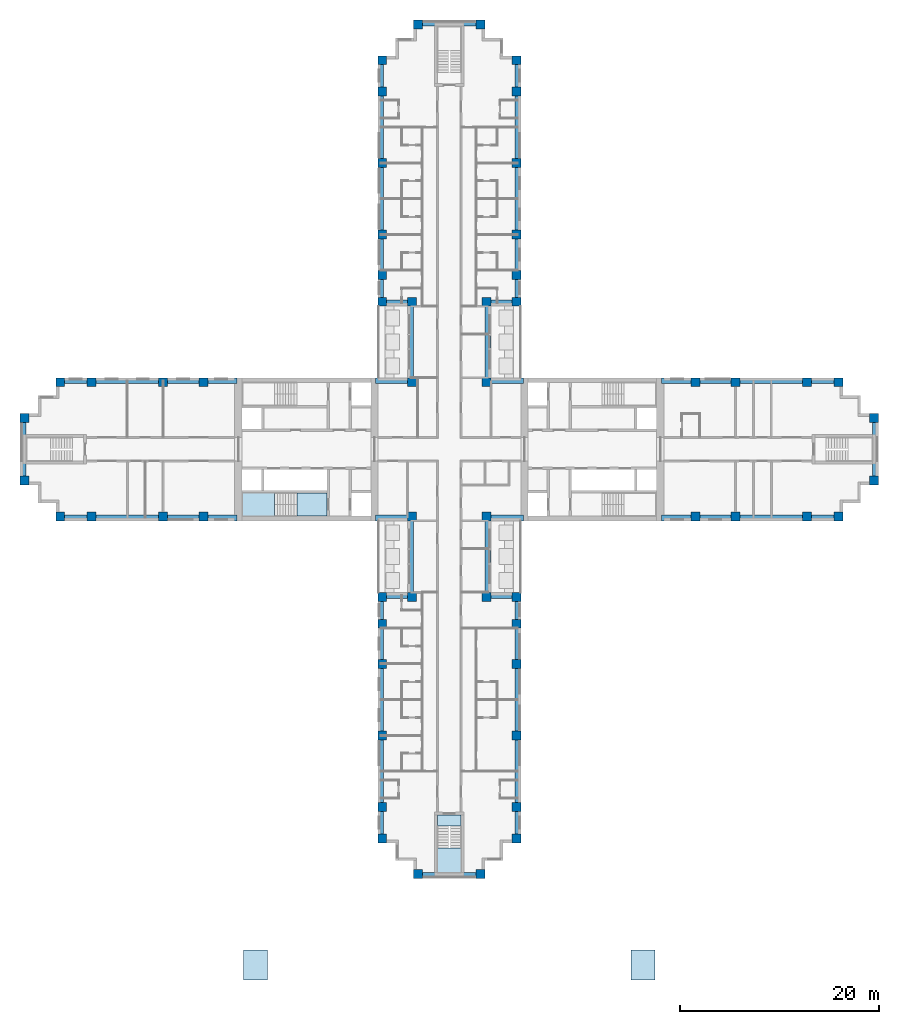
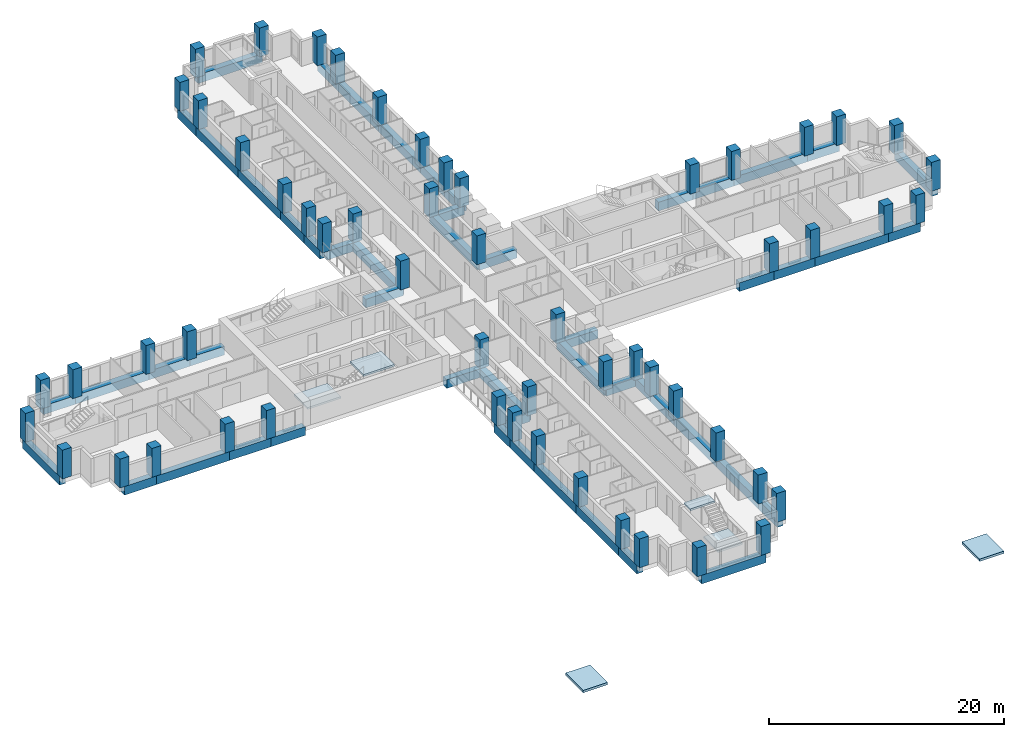
# One storey, part 1 of 15: 56 columns, 52 beams, 6 slabs, 2 elements without a shape of their own.
"""IFC4 building model written with IfcOpenShell, lengths in metres."""

from ifc_helpers import new_model, si_unit, direction, frame, origin, origin_2d, place, context, subcontext, project, spatial, polyline, rectangle, outline, extrude, material, layer, layer_set, material_profile, profile_set, type_object, element, aggregate, save


model = new_model("IFC4")

# Units and contexts
model_context = context("Model", 3, precision=1e-05, world=origin(), true_north=direction((0.0, 1.0)))
body_context = subcontext(model_context, "Body", "Model", "MODEL_VIEW")
ifc_project = project(units=[si_unit("LENGTHUNIT", "METRE"), si_unit("AREAUNIT", "SQUARE_METRE"), si_unit("VOLUMEUNIT", "CUBIC_METRE"), si_unit("PLANEANGLEUNIT", "RADIAN"), si_unit("MASSUNIT", "GRAM", prefix="KILO")], contexts=[model_context])

# Site, building, storey
site_placement = place(None, origin())
site = spatial("IfcSite", under=ifc_project, at=site_placement, CompositionType="ELEMENT")
building_placement = place(site_placement, origin())
building = spatial("IfcBuilding", under=site, at=building_placement, Name="Fustian Cross Tower", CompositionType="ELEMENT")
storey_placement = place(building_placement, frame((0.0, 0.0, 11.699951171875)))
storey = spatial("IfcBuildingStorey", under=building, at=storey_placement, Name="L02", CompositionType="ELEMENT", Elevation=11.699951171875)

# Columns
ifc_material_1 = material(Name="Concrete C70/85", Category="concrete")
ifc_material_profile_1 = material_profile(ifc_material_1, rectangle(XDim=0.89990234375, YDim=0.89990234375, at=origin_2d()), Name="RC 900x900")
ifc_profile_set_1 = profile_set([ifc_material_profile_1], Name="Concrete C70/85")
column_type = type_object("IfcColumnType", Name="COLUMN RC 900x900 C70/85", PredefinedType="COLUMN", material=ifc_profile_set_1)
for number, where, z_axis, x_axis, name in (
    (1, (-42.75, -3.14990234375, 0.0), (0.0, 0.0, 1.0), (1.0, 0.0, 0.0), "COLUMN 001"),
    (2, (-42.75, 3.14990234375, 0.0), (0.0, 0.0, 1.0), (1.0, 0.0, 0.0), "COLUMN 002"),
    (3, (-39.14990234375, -6.75, 0.0), (0.0, 0.0, 1.0), (1.0, 0.0, 0.0), "COLUMN 003"),
    (4, (-39.14990234375, 6.75, 0.0), (0.0, 0.0, 1.0), (1.0, 0.0, 0.0), "COLUMN 004"),
    (5, (-36.0, -6.75, 0.0), (0.0, 0.0, 1.0), (1.0, 0.0, 0.0), "COLUMN 005"),
    (6, (-36.0, 6.75, 0.0), (0.0, 0.0, 1.0), (1.0, 0.0, 0.0), "COLUMN 006"),
    (7, (-28.800048828125, -6.75, 0.0), (0.0, 0.0, 1.0), (1.0, 0.0, 0.0), "COLUMN 007"),
    (8, (-28.800048828125, 6.75, 0.0), (0.0, 0.0, 1.0), (1.0, 0.0, 0.0), "COLUMN 010"),
    (9, (-24.75, -6.75, 0.0), (0.0, 0.0, 1.0), (1.0, 0.0, 0.0), "COLUMN 011"),
    (10, (-24.75, 6.75, 0.0), (0.0, 0.0, 1.0), (1.0, 0.0, 0.0), "COLUMN 012"),
    (11, (-6.75, -39.14990234375, 0.0), (0.0, 0.0, 1.0), (1.0, 0.0, 0.0), "COLUMN 013"),
    (12, (-6.75, -36.0, 0.0), (0.0, 0.0, 1.0), (1.0, 0.0, 0.0), "COLUMN 014"),
    (13, (-6.75, -28.800048828125, 0.0), (0.0, 0.0, 1.0), (1.0, 0.0, 0.0), "COLUMN 015"),
    (14, (-6.75, -21.60009765625, 0.0), (0.0, 0.0, 1.0), (1.0, 0.0, 0.0), "COLUMN 016"),
    (15, (-6.75, -17.550048828125, 0.0), (0.0, 0.0, 1.0), (1.0, 0.0, 0.0), "COLUMN 017"),
    (16, (-6.75, -14.85009765625, 0.0), (0.0, 0.0, 1.0), (1.0, 0.0, 0.0), "COLUMN 018"),
    (17, (-6.75, 14.85009765625, 0.0), (0.0, 0.0, 1.0), (1.0, 0.0, 0.0), "COLUMN 019"),
    (18, (-6.75, 17.550048828125, 0.0), (0.0, 0.0, 1.0), (1.0, 0.0, 0.0), "COLUMN 020"),
    (19, (-6.75, 21.60009765625, 0.0), (0.0, 0.0, 1.0), (1.0, 0.0, 0.0), "COLUMN 021"),
    (20, (-6.75, 28.800048828125, 0.0), (0.0, 0.0, 1.0), (1.0, 0.0, 0.0), "COLUMN 022"),
    (21, (-6.75, 36.0, 0.0), (0.0, 0.0, 1.0), (1.0, 0.0, 0.0), "COLUMN 023"),
    (22, (-6.75, 39.14990234375, 0.0), (0.0, 0.0, 1.0), (1.0, 0.0, 0.0), "COLUMN 024"),
    (23, (-3.75, -14.85009765625, 0.0), (0.0, 0.0, 1.0), (1.0, 0.0, 0.0), "COLUMN 025"),
    (24, (-3.75, -6.75, 0.0), (0.0, 0.0, 1.0), (1.0, 0.0, 0.0), "COLUMN 026"),
    (25, (-3.75, 6.75, 0.0), (0.0, 0.0, 1.0), (1.0, 0.0, 0.0), "COLUMN 027"),
    (26, (-3.75, 14.85009765625, 0.0), (0.0, 0.0, 1.0), (1.0, 0.0, 0.0), "COLUMN 028"),
    (27, (-3.14990234375, -42.75, 0.0), (0.0, 0.0, 1.0), (1.0, 0.0, 0.0), "COLUMN 029"),
    (28, (-3.14990234375, 42.75, 0.0), (0.0, 0.0, 1.0), (1.0, 0.0, 0.0), "COLUMN 032"),
    (29, (3.14990234375, -42.75, 0.0), (0.0, 0.0, 1.0), (1.0, 0.0, 0.0), "COLUMN 033"),
    (30, (3.14990234375, 42.75, 0.0), (0.0, 0.0, 1.0), (1.0, 0.0, 0.0), "COLUMN 036"),
    (31, (3.75, -14.85009765625, 0.0), (0.0, 0.0, 1.0), (1.0, 0.0, 0.0), "COLUMN 037"),
    (32, (3.75, -6.75, 0.0), (0.0, 0.0, 1.0), (1.0, 0.0, 0.0), "COLUMN 038"),
    (33, (3.75, 6.75, 0.0), (0.0, 0.0, 1.0), (1.0, 0.0, 0.0), "COLUMN 039"),
    (34, (3.75, 14.85009765625, 0.0), (0.0, 0.0, 1.0), (1.0, 0.0, 0.0), "COLUMN 040"),
    (35, (6.75, -39.14990234375, 0.0), (0.0, 0.0, 1.0), (1.0, 0.0, 0.0), "COLUMN 041"),
    (36, (6.75, -36.0, 0.0), (0.0, 0.0, 1.0), (1.0, 0.0, 0.0), "COLUMN 042"),
    (37, (6.75, -28.800048828125, 0.0), (0.0, 0.0, 1.0), (1.0, 0.0, 0.0), "COLUMN 043"),
    (38, (6.75, -21.60009765625, 0.0), (0.0, 0.0, 1.0), (1.0, 0.0, 0.0), "COLUMN 044"),
    (39, (6.75, -17.550048828125, 0.0), (0.0, 0.0, 1.0), (1.0, 0.0, 0.0), "COLUMN 045"),
    (40, (6.75, -14.85009765625, 0.0), (0.0, 0.0, 1.0), (1.0, 0.0, 0.0), "COLUMN 046"),
    (41, (6.75, 14.85009765625, 0.0), (0.0, 0.0, 1.0), (1.0, 0.0, 0.0), "COLUMN 047"),
    (42, (6.75, 17.550048828125, 0.0), (0.0, 0.0, 1.0), (1.0, 0.0, 0.0), "COLUMN 048"),
    (43, (6.75, 21.60009765625, 0.0), (0.0, 0.0, 1.0), (1.0, 0.0, 0.0), "COLUMN 049"),
    (44, (6.75, 28.800048828125, 0.0), (0.0, 0.0, 1.0), (1.0, 0.0, 0.0), "COLUMN 050"),
    (45, (6.75, 36.0, 0.0), (0.0, 0.0, 1.0), (1.0, 0.0, 0.0), "COLUMN 051"),
    (46, (6.75, 39.14990234375, 0.0), (0.0, 0.0, 1.0), (1.0, 0.0, 0.0), "COLUMN 052"),
    (47, (24.75, -6.75, 0.0), (0.0, 0.0, 1.0), (1.0, 0.0, 0.0), "COLUMN 053"),
    (48, (24.75, 6.75, 0.0), (0.0, 0.0, 1.0), (1.0, 0.0, 0.0), "COLUMN 054"),
    (49, (28.800048828125, -6.75, 0.0), (0.0, 0.0, 1.0), (1.0, 0.0, 0.0), "COLUMN 055"),
    (50, (28.800048828125, 6.75, 0.0), (0.0, 0.0, 1.0), (1.0, 0.0, 0.0), "COLUMN 058"),
    (51, (36.0, -6.75, 0.0), (0.0, 0.0, 1.0), (1.0, 0.0, 0.0), "COLUMN 059"),
    (52, (36.0, 6.75, 0.0), (0.0, 0.0, 1.0), (1.0, 0.0, 0.0), "COLUMN 060"),
    (53, (39.14990234375, -6.75, 0.0), (0.0, 0.0, 1.0), (1.0, 0.0, 0.0), "COLUMN 061"),
    (54, (39.14990234375, 6.75, 0.0), (0.0, 0.0, 1.0), (1.0, 0.0, 0.0), "COLUMN 062"),
    (55, (42.75, -3.14990234375, 0.0), (0.0, 0.0, 1.0), (1.0, 0.0, 0.0), "COLUMN 063"),
    (56, (42.75, 3.14990234375, 0.0), (0.0, 0.0, 1.0), (1.0, 0.0, 0.0), "COLUMN 064"),
):
    element("IfcColumn", number, at=place(storey_placement, frame(where, z_axis=z_axis, x_axis=x_axis)), inside=storey, type_object=column_type, Name=name, PredefinedType="COLUMN", context=body_context, shape_type="SweptSolid", body=[
        extrude(rectangle(XDim=0.89990234375, YDim=0.89990234375, at=origin_2d()), origin(), (0.0, 0.0, 1.0), 3.0),
    ])

# Beams
ifc_material_2 = material(Name="Concrete C50/60", Category="concrete")
ifc_material_profile_2 = material_profile(ifc_material_2, rectangle(XDim=0.60009765625, YDim=0.89990234375, at=origin_2d()), Name="RC 600x900")
ifc_profile_set_2 = profile_set([ifc_material_profile_2], Name="Concrete C50/60")
beam_type = type_object("IfcBeamType", Name="EDGE BEAM RC 600x900 C50/60", PredefinedType="SPANDREL", material=ifc_profile_set_2)
beam_1_placement = place(storey_placement, frame((21.35009765625, -6.89990234375, -0.449951171875), z_axis=(1.0, 0.0, 0.0), x_axis=(0.0, 1.0, 0.0)))
element("IfcBeam", 57, at=beam_1_placement, inside=storey, type_object=beam_type, Name="EDGE BEAM L02-01", PredefinedType="SPANDREL", context=body_context, shape_type="SweptSolid", body=[
    extrude(rectangle(XDim=0.60009765625, YDim=0.89990234375, at=origin_2d()), origin(), (0.0, 0.0, 1.0), 3.39990234375),
])
beam_2_placement = place(storey_placement, frame((24.75, -6.89990234375, -0.449951171875), z_axis=(1.0, 0.0, 0.0), x_axis=(0.0, 1.0, 0.0)))
element("IfcBeam", 58, at=beam_2_placement, inside=storey, type_object=beam_type, Name="EDGE BEAM L02-02", PredefinedType="SPANDREL", context=body_context, shape_type="SweptSolid", body=[
    extrude(rectangle(XDim=0.60009765625, YDim=0.89990234375, at=origin_2d()), origin(), (0.0, 0.0, 1.0), 4.050048828125),
])
beam_3_placement = place(storey_placement, frame((28.800048828125, -6.89990234375, -0.449951171875), z_axis=(1.0, 0.0, 0.0), x_axis=(0.0, 1.0, 0.0)))
element("IfcBeam", 59, at=beam_3_placement, inside=storey, type_object=beam_type, Name="EDGE BEAM L02-03", PredefinedType="SPANDREL", context=body_context, shape_type="SweptSolid", body=[
    extrude(rectangle(XDim=0.60009765625, YDim=0.89990234375, at=origin_2d()), origin(), (0.0, 0.0, 1.0), 7.199951171875),
])
beam_4_placement = place(storey_placement, frame((36.0, -6.89990234375, -0.449951171875), z_axis=(1.0, 0.0, 0.0), x_axis=(0.0, 1.0, 0.0)))
element("IfcBeam", 60, at=beam_4_placement, inside=storey, type_object=beam_type, Name="EDGE BEAM L02-04", PredefinedType="SPANDREL", context=body_context, shape_type="SweptSolid", body=[
    extrude(rectangle(XDim=0.60009765625, YDim=0.89990234375, at=origin_2d()), origin(), (0.0, 0.0, 1.0), 3.14990234375),
])
beam_5_placement = place(storey_placement, frame((42.89990234375, -3.14990234375, -0.449951171875), z_axis=(0.0, 1.0, 0.0), x_axis=(-1.0, 0.0, 0.0)))
element("IfcBeam", 61, at=beam_5_placement, inside=storey, type_object=beam_type, Name="EDGE BEAM L02-05", PredefinedType="SPANDREL", context=body_context, shape_type="SweptSolid", body=[
    extrude(rectangle(XDim=0.60009765625, YDim=0.89990234375, at=origin_2d()), origin(), (0.0, 0.0, 1.0), 6.2998046875),
])
beam_6_placement = place(storey_placement, frame((39.14990234375, 6.89990234375, -0.449951171875), z_axis=(-1.0, 0.0, 0.0), x_axis=(0.0, -1.0, 0.0)))
element("IfcBeam", 62, at=beam_6_placement, inside=storey, type_object=beam_type, Name="EDGE BEAM L02-06", PredefinedType="SPANDREL", context=body_context, shape_type="SweptSolid", body=[
    extrude(rectangle(XDim=0.60009765625, YDim=0.89990234375, at=origin_2d()), origin(), (0.0, 0.0, 1.0), 3.14990234375),
])
beam_7_placement = place(storey_placement, frame((36.0, 6.89990234375, -0.449951171875), z_axis=(-1.0, 0.0, 0.0), x_axis=(0.0, -1.0, 0.0)))
element("IfcBeam", 63, at=beam_7_placement, inside=storey, type_object=beam_type, Name="EDGE BEAM L02-07", PredefinedType="SPANDREL", context=body_context, shape_type="SweptSolid", body=[
    extrude(rectangle(XDim=0.60009765625, YDim=0.89990234375, at=origin_2d()), origin(), (0.0, 0.0, 1.0), 7.199951171875),
])
beam_8_placement = place(storey_placement, frame((28.800048828125, 6.89990234375, -0.449951171875), z_axis=(-1.0, 0.0, 0.0), x_axis=(0.0, -1.0, 0.0)))
element("IfcBeam", 64, at=beam_8_placement, inside=storey, type_object=beam_type, Name="EDGE BEAM L02-08", PredefinedType="SPANDREL", context=body_context, shape_type="SweptSolid", body=[
    extrude(rectangle(XDim=0.60009765625, YDim=0.89990234375, at=origin_2d()), origin(), (0.0, 0.0, 1.0), 4.050048828125),
])
beam_9_placement = place(storey_placement, frame((24.75, 6.89990234375, -0.449951171875), z_axis=(-1.0, 0.0, 0.0), x_axis=(0.0, -1.0, 0.0)))
element("IfcBeam", 65, at=beam_9_placement, inside=storey, type_object=beam_type, Name="EDGE BEAM L02-09", PredefinedType="SPANDREL", context=body_context, shape_type="SweptSolid", body=[
    extrude(rectangle(XDim=0.60009765625, YDim=0.89990234375, at=origin_2d()), origin(), (0.0, 0.0, 1.0), 3.39990234375),
])
beam_10_placement = place(storey_placement, frame((7.449951171875, 6.89990234375, -0.449951171875), z_axis=(-1.0, 0.0, 0.0), x_axis=(0.0, -1.0, 0.0)))
element("IfcBeam", 66, at=beam_10_placement, inside=storey, type_object=beam_type, Name="EDGE BEAM L02-10", PredefinedType="SPANDREL", context=body_context, shape_type="SweptSolid", body=[
    extrude(rectangle(XDim=0.60009765625, YDim=0.89990234375, at=origin_2d()), origin(), (0.0, 0.0, 1.0), 3.699951171875),
])
beam_11_placement = place(storey_placement, frame((3.89990234375, 6.75, -0.449951171875), z_axis=(0.0, 1.0, 0.0), x_axis=(-1.0, 0.0, 0.0)))
element("IfcBeam", 67, at=beam_11_placement, inside=storey, type_object=beam_type, Name="EDGE BEAM L02-11", PredefinedType="SPANDREL", context=body_context, shape_type="SweptSolid", body=[
    extrude(rectangle(XDim=0.60009765625, YDim=0.89990234375, at=origin_2d()), origin(), (0.0, 0.0, 1.0), 8.10009765625),
])
beam_12_placement = place(storey_placement, frame((3.75, 14.699951171875, -0.449951171875), z_axis=(1.0, 0.0, 0.0), x_axis=(0.0, 1.0, 0.0)))
element("IfcBeam", 68, at=beam_12_placement, inside=storey, type_object=beam_type, Name="EDGE BEAM L02-12", PredefinedType="SPANDREL", context=body_context, shape_type="SweptSolid", body=[
    extrude(rectangle(XDim=0.60009765625, YDim=0.89990234375, at=origin_2d()), origin(), (0.0, 0.0, 1.0), 3.0),
])
beam_13_placement = place(storey_placement, frame((6.89990234375, 14.85009765625, -0.449951171875), z_axis=(0.0, 1.0, 0.0), x_axis=(-1.0, 0.0, 0.0)))
element("IfcBeam", 69, at=beam_13_placement, inside=storey, type_object=beam_type, Name="EDGE BEAM L02-13", PredefinedType="SPANDREL", context=body_context, shape_type="SweptSolid", body=[
    extrude(rectangle(XDim=0.60009765625, YDim=0.89990234375, at=origin_2d()), origin(), (0.0, 0.0, 1.0), 2.699951171875),
])
beam_14_placement = place(storey_placement, frame((6.89990234375, 17.550048828125, -0.449951171875), z_axis=(0.0, 1.0, 0.0), x_axis=(-1.0, 0.0, 0.0)))
element("IfcBeam", 70, at=beam_14_placement, inside=storey, type_object=beam_type, Name="EDGE BEAM L02-14", PredefinedType="SPANDREL", context=body_context, shape_type="SweptSolid", body=[
    extrude(rectangle(XDim=0.60009765625, YDim=0.89990234375, at=origin_2d()), origin(), (0.0, 0.0, 1.0), 4.050048828125),
])
for number, where, z_axis, x_axis, name in (
    (71, (6.89990234375, 21.60009765625, -0.449951171875), (0.0, 1.0, 0.0), (-1.0, 0.0, 0.0), "EDGE BEAM L02-15"),
    (72, (6.89990234375, 28.800048828125, -0.449951171875), (0.0, 1.0, 0.0), (-1.0, 0.0, 0.0), "EDGE BEAM L02-16"),
):
    element("IfcBeam", number, at=place(storey_placement, frame(where, z_axis=z_axis, x_axis=x_axis)), inside=storey, type_object=beam_type, Name=name, PredefinedType="SPANDREL", context=body_context, shape_type="SweptSolid", body=[
        extrude(rectangle(XDim=0.60009765625, YDim=0.89990234375, at=origin_2d()), origin(), (0.0, 0.0, 1.0), 7.199951171875),
    ])
beam_15_placement = place(storey_placement, frame((6.89990234375, 36.0, -0.449951171875), z_axis=(0.0, 1.0, 0.0), x_axis=(-1.0, 0.0, 0.0)))
element("IfcBeam", 73, at=beam_15_placement, inside=storey, type_object=beam_type, Name="EDGE BEAM L02-17", PredefinedType="SPANDREL", context=body_context, shape_type="SweptSolid", body=[
    extrude(rectangle(XDim=0.60009765625, YDim=0.89990234375, at=origin_2d()), origin(), (0.0, 0.0, 1.0), 3.14990234375),
])
beam_16_placement = place(storey_placement, frame((3.14990234375, 42.89990234375, -0.449951171875), z_axis=(-1.0, 0.0, 0.0), x_axis=(0.0, -1.0, 0.0)))
element("IfcBeam", 74, at=beam_16_placement, inside=storey, type_object=beam_type, Name="EDGE BEAM L02-18", PredefinedType="SPANDREL", context=body_context, shape_type="SweptSolid", body=[
    extrude(rectangle(XDim=0.60009765625, YDim=0.89990234375, at=origin_2d()), origin(), (0.0, 0.0, 1.0), 6.2998046875),
])
beam_17_placement = place(storey_placement, frame((-6.89990234375, 39.14990234375, -0.449951171875), z_axis=(0.0, -1.0, 0.0), x_axis=(1.0, 0.0, 0.0)))
element("IfcBeam", 75, at=beam_17_placement, inside=storey, type_object=beam_type, Name="EDGE BEAM L02-19", PredefinedType="SPANDREL", context=body_context, shape_type="SweptSolid", body=[
    extrude(rectangle(XDim=0.60009765625, YDim=0.89990234375, at=origin_2d()), origin(), (0.0, 0.0, 1.0), 3.14990234375),
])
for number, where, z_axis, x_axis, name in (
    (76, (-6.89990234375, 36.0, -0.449951171875), (0.0, -1.0, 0.0), (1.0, 0.0, 0.0), "EDGE BEAM L02-20"),
    (77, (-6.89990234375, 28.800048828125, -0.449951171875), (0.0, -1.0, 0.0), (1.0, 0.0, 0.0), "EDGE BEAM L02-21"),
):
    element("IfcBeam", number, at=place(storey_placement, frame(where, z_axis=z_axis, x_axis=x_axis)), inside=storey, type_object=beam_type, Name=name, PredefinedType="SPANDREL", context=body_context, shape_type="SweptSolid", body=[
        extrude(rectangle(XDim=0.60009765625, YDim=0.89990234375, at=origin_2d()), origin(), (0.0, 0.0, 1.0), 7.199951171875),
    ])
beam_18_placement = place(storey_placement, frame((-6.89990234375, 21.60009765625, -0.449951171875), z_axis=(0.0, -1.0, 0.0), x_axis=(1.0, 0.0, 0.0)))
element("IfcBeam", 78, at=beam_18_placement, inside=storey, type_object=beam_type, Name="EDGE BEAM L02-22", PredefinedType="SPANDREL", context=body_context, shape_type="SweptSolid", body=[
    extrude(rectangle(XDim=0.60009765625, YDim=0.89990234375, at=origin_2d()), origin(), (0.0, 0.0, 1.0), 4.050048828125),
])
beam_19_placement = place(storey_placement, frame((-6.89990234375, 17.550048828125, -0.449951171875), z_axis=(0.0, -1.0, 0.0), x_axis=(1.0, 0.0, 0.0)))
element("IfcBeam", 79, at=beam_19_placement, inside=storey, type_object=beam_type, Name="EDGE BEAM L02-23", PredefinedType="SPANDREL", context=body_context, shape_type="SweptSolid", body=[
    extrude(rectangle(XDim=0.60009765625, YDim=0.89990234375, at=origin_2d()), origin(), (0.0, 0.0, 1.0), 2.699951171875),
])
beam_20_placement = place(storey_placement, frame((-6.75, 14.699951171875, -0.449951171875), z_axis=(1.0, 0.0, 0.0), x_axis=(0.0, 1.0, 0.0)))
element("IfcBeam", 80, at=beam_20_placement, inside=storey, type_object=beam_type, Name="EDGE BEAM L02-24", PredefinedType="SPANDREL", context=body_context, shape_type="SweptSolid", body=[
    extrude(rectangle(XDim=0.60009765625, YDim=0.89990234375, at=origin_2d()), origin(), (0.0, 0.0, 1.0), 3.0),
])
beam_21_placement = place(storey_placement, frame((-3.89990234375, 14.85009765625, -0.449951171875), z_axis=(0.0, -1.0, 0.0), x_axis=(1.0, 0.0, 0.0)))
element("IfcBeam", 81, at=beam_21_placement, inside=storey, type_object=beam_type, Name="EDGE BEAM L02-25", PredefinedType="SPANDREL", context=body_context, shape_type="SweptSolid", body=[
    extrude(rectangle(XDim=0.60009765625, YDim=0.89990234375, at=origin_2d()), origin(), (0.0, 0.0, 1.0), 8.10009765625),
])
beam_22_placement = place(storey_placement, frame((-3.75, 6.89990234375, -0.449951171875), z_axis=(-1.0, 0.0, 0.0), x_axis=(0.0, -1.0, 0.0)))
element("IfcBeam", 82, at=beam_22_placement, inside=storey, type_object=beam_type, Name="EDGE BEAM L02-26", PredefinedType="SPANDREL", context=body_context, shape_type="SweptSolid", body=[
    extrude(rectangle(XDim=0.60009765625, YDim=0.89990234375, at=origin_2d()), origin(), (0.0, 0.0, 1.0), 3.699951171875),
])
beam_23_placement = place(storey_placement, frame((-21.35009765625, 6.89990234375, -0.449951171875), z_axis=(-1.0, 0.0, 0.0), x_axis=(0.0, -1.0, 0.0)))
element("IfcBeam", 83, at=beam_23_placement, inside=storey, type_object=beam_type, Name="EDGE BEAM L02-27", PredefinedType="SPANDREL", context=body_context, shape_type="SweptSolid", body=[
    extrude(rectangle(XDim=0.60009765625, YDim=0.89990234375, at=origin_2d()), origin(), (0.0, 0.0, 1.0), 3.39990234375),
])
beam_24_placement = place(storey_placement, frame((-24.75, 6.89990234375, -0.449951171875), z_axis=(-1.0, 0.0, 0.0), x_axis=(0.0, -1.0, 0.0)))
element("IfcBeam", 84, at=beam_24_placement, inside=storey, type_object=beam_type, Name="EDGE BEAM L02-28", PredefinedType="SPANDREL", context=body_context, shape_type="SweptSolid", body=[
    extrude(rectangle(XDim=0.60009765625, YDim=0.89990234375, at=origin_2d()), origin(), (0.0, 0.0, 1.0), 4.050048828125),
])
beam_25_placement = place(storey_placement, frame((-28.800048828125, 6.89990234375, -0.449951171875), z_axis=(-1.0, 0.0, 0.0), x_axis=(0.0, -1.0, 0.0)))
element("IfcBeam", 85, at=beam_25_placement, inside=storey, type_object=beam_type, Name="EDGE BEAM L02-29", PredefinedType="SPANDREL", context=body_context, shape_type="SweptSolid", body=[
    extrude(rectangle(XDim=0.60009765625, YDim=0.89990234375, at=origin_2d()), origin(), (0.0, 0.0, 1.0), 7.199951171875),
])
beam_26_placement = place(storey_placement, frame((-36.0, 6.89990234375, -0.449951171875), z_axis=(-1.0, 0.0, 0.0), x_axis=(0.0, -1.0, 0.0)))
element("IfcBeam", 86, at=beam_26_placement, inside=storey, type_object=beam_type, Name="EDGE BEAM L02-30", PredefinedType="SPANDREL", context=body_context, shape_type="SweptSolid", body=[
    extrude(rectangle(XDim=0.60009765625, YDim=0.89990234375, at=origin_2d()), origin(), (0.0, 0.0, 1.0), 3.14990234375),
])
beam_27_placement = place(storey_placement, frame((-42.89990234375, 3.14990234375, -0.449951171875), z_axis=(0.0, -1.0, 0.0), x_axis=(1.0, 0.0, 0.0)))
element("IfcBeam", 87, at=beam_27_placement, inside=storey, type_object=beam_type, Name="EDGE BEAM L02-31", PredefinedType="SPANDREL", context=body_context, shape_type="SweptSolid", body=[
    extrude(rectangle(XDim=0.60009765625, YDim=0.89990234375, at=origin_2d()), origin(), (0.0, 0.0, 1.0), 6.2998046875),
])
beam_28_placement = place(storey_placement, frame((-39.14990234375, -6.89990234375, -0.449951171875), z_axis=(1.0, 0.0, 0.0), x_axis=(0.0, 1.0, 0.0)))
element("IfcBeam", 88, at=beam_28_placement, inside=storey, type_object=beam_type, Name="EDGE BEAM L02-32", PredefinedType="SPANDREL", context=body_context, shape_type="SweptSolid", body=[
    extrude(rectangle(XDim=0.60009765625, YDim=0.89990234375, at=origin_2d()), origin(), (0.0, 0.0, 1.0), 3.14990234375),
])
beam_29_placement = place(storey_placement, frame((-36.0, -6.89990234375, -0.449951171875), z_axis=(1.0, 0.0, 0.0), x_axis=(0.0, 1.0, 0.0)))
element("IfcBeam", 89, at=beam_29_placement, inside=storey, type_object=beam_type, Name="EDGE BEAM L02-33", PredefinedType="SPANDREL", context=body_context, shape_type="SweptSolid", body=[
    extrude(rectangle(XDim=0.60009765625, YDim=0.89990234375, at=origin_2d()), origin(), (0.0, 0.0, 1.0), 7.199951171875),
])
beam_30_placement = place(storey_placement, frame((-28.800048828125, -6.89990234375, -0.449951171875), z_axis=(1.0, 0.0, 0.0), x_axis=(0.0, 1.0, 0.0)))
element("IfcBeam", 90, at=beam_30_placement, inside=storey, type_object=beam_type, Name="EDGE BEAM L02-34", PredefinedType="SPANDREL", context=body_context, shape_type="SweptSolid", body=[
    extrude(rectangle(XDim=0.60009765625, YDim=0.89990234375, at=origin_2d()), origin(), (0.0, 0.0, 1.0), 4.050048828125),
])
beam_31_placement = place(storey_placement, frame((-24.75, -6.89990234375, -0.449951171875), z_axis=(1.0, 0.0, 0.0), x_axis=(0.0, 1.0, 0.0)))
element("IfcBeam", 91, at=beam_31_placement, inside=storey, type_object=beam_type, Name="EDGE BEAM L02-35", PredefinedType="SPANDREL", context=body_context, shape_type="SweptSolid", body=[
    extrude(rectangle(XDim=0.60009765625, YDim=0.89990234375, at=origin_2d()), origin(), (0.0, 0.0, 1.0), 3.39990234375),
])
beam_32_placement = place(storey_placement, frame((-7.449951171875, -6.89990234375, -0.449951171875), z_axis=(1.0, 0.0, 0.0), x_axis=(0.0, 1.0, 0.0)))
element("IfcBeam", 92, at=beam_32_placement, inside=storey, type_object=beam_type, Name="EDGE BEAM L02-36", PredefinedType="SPANDREL", context=body_context, shape_type="SweptSolid", body=[
    extrude(rectangle(XDim=0.60009765625, YDim=0.89990234375, at=origin_2d()), origin(), (0.0, 0.0, 1.0), 3.699951171875),
])
beam_33_placement = place(storey_placement, frame((-3.89990234375, -6.75, -0.449951171875), z_axis=(0.0, -1.0, 0.0), x_axis=(1.0, 0.0, 0.0)))
element("IfcBeam", 93, at=beam_33_placement, inside=storey, type_object=beam_type, Name="EDGE BEAM L02-37", PredefinedType="SPANDREL", context=body_context, shape_type="SweptSolid", body=[
    extrude(rectangle(XDim=0.60009765625, YDim=0.89990234375, at=origin_2d()), origin(), (0.0, 0.0, 1.0), 8.10009765625),
])
beam_34_placement = place(storey_placement, frame((-3.75, -14.699951171875, -0.449951171875), z_axis=(-1.0, 0.0, 0.0), x_axis=(0.0, -1.0, 0.0)))
element("IfcBeam", 94, at=beam_34_placement, inside=storey, type_object=beam_type, Name="EDGE BEAM L02-38", PredefinedType="SPANDREL", context=body_context, shape_type="SweptSolid", body=[
    extrude(rectangle(XDim=0.60009765625, YDim=0.89990234375, at=origin_2d()), origin(), (0.0, 0.0, 1.0), 3.0),
])
beam_35_placement = place(storey_placement, frame((-6.89990234375, -14.85009765625, -0.449951171875), z_axis=(0.0, -1.0, 0.0), x_axis=(1.0, 0.0, 0.0)))
element("IfcBeam", 95, at=beam_35_placement, inside=storey, type_object=beam_type, Name="EDGE BEAM L02-39", PredefinedType="SPANDREL", context=body_context, shape_type="SweptSolid", body=[
    extrude(rectangle(XDim=0.60009765625, YDim=0.89990234375, at=origin_2d()), origin(), (0.0, 0.0, 1.0), 2.699951171875),
])
beam_36_placement = place(storey_placement, frame((-6.89990234375, -17.550048828125, -0.449951171875), z_axis=(0.0, -1.0, 0.0), x_axis=(1.0, 0.0, 0.0)))
element("IfcBeam", 96, at=beam_36_placement, inside=storey, type_object=beam_type, Name="EDGE BEAM L02-40", PredefinedType="SPANDREL", context=body_context, shape_type="SweptSolid", body=[
    extrude(rectangle(XDim=0.60009765625, YDim=0.89990234375, at=origin_2d()), origin(), (0.0, 0.0, 1.0), 4.050048828125),
])
for number, where, z_axis, x_axis, name in (
    (97, (-6.89990234375, -21.60009765625, -0.449951171875), (0.0, -1.0, 0.0), (1.0, 0.0, 0.0), "EDGE BEAM L02-41"),
    (98, (-6.89990234375, -28.800048828125, -0.449951171875), (0.0, -1.0, 0.0), (1.0, 0.0, 0.0), "EDGE BEAM L02-42"),
):
    element("IfcBeam", number, at=place(storey_placement, frame(where, z_axis=z_axis, x_axis=x_axis)), inside=storey, type_object=beam_type, Name=name, PredefinedType="SPANDREL", context=body_context, shape_type="SweptSolid", body=[
        extrude(rectangle(XDim=0.60009765625, YDim=0.89990234375, at=origin_2d()), origin(), (0.0, 0.0, 1.0), 7.199951171875),
    ])
beam_37_placement = place(storey_placement, frame((-6.89990234375, -36.0, -0.449951171875), z_axis=(0.0, -1.0, 0.0), x_axis=(1.0, 0.0, 0.0)))
element("IfcBeam", 99, at=beam_37_placement, inside=storey, type_object=beam_type, Name="EDGE BEAM L02-43", PredefinedType="SPANDREL", context=body_context, shape_type="SweptSolid", body=[
    extrude(rectangle(XDim=0.60009765625, YDim=0.89990234375, at=origin_2d()), origin(), (0.0, 0.0, 1.0), 3.14990234375),
])
beam_38_placement = place(storey_placement, frame((-3.14990234375, -42.89990234375, -0.449951171875), z_axis=(1.0, 0.0, 0.0), x_axis=(0.0, 1.0, 0.0)))
element("IfcBeam", 100, at=beam_38_placement, inside=storey, type_object=beam_type, Name="EDGE BEAM L02-44", PredefinedType="SPANDREL", context=body_context, shape_type="SweptSolid", body=[
    extrude(rectangle(XDim=0.60009765625, YDim=0.89990234375, at=origin_2d()), origin(), (0.0, 0.0, 1.0), 6.2998046875),
])
beam_39_placement = place(storey_placement, frame((6.89990234375, -39.14990234375, -0.449951171875), z_axis=(0.0, 1.0, 0.0), x_axis=(-1.0, 0.0, 0.0)))
element("IfcBeam", 101, at=beam_39_placement, inside=storey, type_object=beam_type, Name="EDGE BEAM L02-45", PredefinedType="SPANDREL", context=body_context, shape_type="SweptSolid", body=[
    extrude(rectangle(XDim=0.60009765625, YDim=0.89990234375, at=origin_2d()), origin(), (0.0, 0.0, 1.0), 3.14990234375),
])
for number, where, z_axis, x_axis, name in (
    (102, (6.89990234375, -36.0, -0.449951171875), (0.0, 1.0, 0.0), (-1.0, 0.0, 0.0), "EDGE BEAM L02-46"),
    (103, (6.89990234375, -28.800048828125, -0.449951171875), (0.0, 1.0, 0.0), (-1.0, 0.0, 0.0), "EDGE BEAM L02-47"),
):
    element("IfcBeam", number, at=place(storey_placement, frame(where, z_axis=z_axis, x_axis=x_axis)), inside=storey, type_object=beam_type, Name=name, PredefinedType="SPANDREL", context=body_context, shape_type="SweptSolid", body=[
        extrude(rectangle(XDim=0.60009765625, YDim=0.89990234375, at=origin_2d()), origin(), (0.0, 0.0, 1.0), 7.199951171875),
    ])
beam_40_placement = place(storey_placement, frame((6.89990234375, -21.60009765625, -0.449951171875), z_axis=(0.0, 1.0, 0.0), x_axis=(-1.0, 0.0, 0.0)))
element("IfcBeam", 104, at=beam_40_placement, inside=storey, type_object=beam_type, Name="EDGE BEAM L02-48", PredefinedType="SPANDREL", context=body_context, shape_type="SweptSolid", body=[
    extrude(rectangle(XDim=0.60009765625, YDim=0.89990234375, at=origin_2d()), origin(), (0.0, 0.0, 1.0), 4.050048828125),
])
beam_41_placement = place(storey_placement, frame((6.89990234375, -17.550048828125, -0.449951171875), z_axis=(0.0, 1.0, 0.0), x_axis=(-1.0, 0.0, 0.0)))
element("IfcBeam", 105, at=beam_41_placement, inside=storey, type_object=beam_type, Name="EDGE BEAM L02-49", PredefinedType="SPANDREL", context=body_context, shape_type="SweptSolid", body=[
    extrude(rectangle(XDim=0.60009765625, YDim=0.89990234375, at=origin_2d()), origin(), (0.0, 0.0, 1.0), 2.699951171875),
])
beam_42_placement = place(storey_placement, frame((6.75, -14.699951171875, -0.449951171875), z_axis=(-1.0, 0.0, 0.0), x_axis=(0.0, -1.0, 0.0)))
element("IfcBeam", 106, at=beam_42_placement, inside=storey, type_object=beam_type, Name="EDGE BEAM L02-50", PredefinedType="SPANDREL", context=body_context, shape_type="SweptSolid", body=[
    extrude(rectangle(XDim=0.60009765625, YDim=0.89990234375, at=origin_2d()), origin(), (0.0, 0.0, 1.0), 3.0),
])
beam_43_placement = place(storey_placement, frame((3.89990234375, -14.85009765625, -0.449951171875), z_axis=(0.0, 1.0, 0.0), x_axis=(-1.0, 0.0, 0.0)))
element("IfcBeam", 107, at=beam_43_placement, inside=storey, type_object=beam_type, Name="EDGE BEAM L02-51", PredefinedType="SPANDREL", context=body_context, shape_type="SweptSolid", body=[
    extrude(rectangle(XDim=0.60009765625, YDim=0.89990234375, at=origin_2d()), origin(), (0.0, 0.0, 1.0), 8.10009765625),
])
beam_44_placement = place(storey_placement, frame((3.75, -6.89990234375, -0.449951171875), z_axis=(1.0, 0.0, 0.0), x_axis=(0.0, 1.0, 0.0)))
element("IfcBeam", 108, at=beam_44_placement, inside=storey, type_object=beam_type, Name="EDGE BEAM L02-52", PredefinedType="SPANDREL", context=body_context, shape_type="SweptSolid", body=[
    extrude(rectangle(XDim=0.60009765625, YDim=0.89990234375, at=origin_2d()), origin(), (0.0, 0.0, 1.0), 3.699951171875),
])

# Slabs
ifc_material_3 = material(Name="Concrete C40/50", Category="concrete")
ifc_layer_1 = layer(ifc_material_3, 0.25)
ifc_layer_set_1 = layer_set([ifc_layer_1], Name="Concrete C40/50")
slab_type_1 = type_object("IfcSlabType", Name="LIFT TOWER ROOF 250", PredefinedType="ROOF", material=ifc_layer_set_1)
slab_1_placement = place(storey_placement, frame((0.0, 0.0, 0.10009765625)))
element("IfcSlab", 109, at=slab_1_placement, inside=storey, type_object=slab_type_1, Name="Lift tower roof PL1", PredefinedType="ROOF", context=body_context, shape_type="SweptSolid", body=[
    extrude(outline(polyline([(-20.699951171875, -53.39990234375), (-18.300048828125, -53.39990234375), (-18.300048828125, -50.39990234375), (-20.699951171875, -50.39990234375), (-20.699951171875, -53.39990234375)])), origin(), (0.0, 0.0, 1.0), 0.25),
])
slab_2_placement = place(storey_placement, frame((0.0, 0.0, 0.10009765625)))
element("IfcSlab", 110, at=slab_2_placement, inside=storey, type_object=slab_type_1, Name="Lift tower roof PL2", PredefinedType="ROOF", context=body_context, shape_type="SweptSolid", body=[
    extrude(outline(polyline([(18.300048828125, -53.39990234375), (20.699951171875, -53.39990234375), (20.699951171875, -50.39990234375), (18.300048828125, -50.39990234375), (18.300048828125, -53.39990234375)])), origin(), (0.0, 0.0, 1.0), 0.25),
])

# Stair, slabs
ifc_material_4 = material(Name="Concrete C50/60", Category="concrete")
stair_type_1 = type_object("IfcStairType", Name="STAIR 1150 HALF TURN", PredefinedType="HALF_TURN_STAIR", material=ifc_material_4)
stair_1_placement = place(storey_placement, origin())
stair_1 = element("IfcStair", 111, at=stair_1_placement, inside=storey, type_object=stair_type_1, Name="Stair ST4", PredefinedType="HALF_TURN_STAIR")
ifc_material_5 = material(Name="Concrete C50/60", Category="concrete")
ifc_layer_2 = layer(ifc_material_5, 0.199951171875)
ifc_layer_set_2 = layer_set([ifc_layer_2], Name="Concrete C50/60")
slab_type_2 = type_object("IfcSlabType", Name="STAIR LANDING", PredefinedType="LANDING", material=ifc_layer_set_2)
slab_3_placement = place(storey_placement, frame((0.0, 0.0, 1.300048828125)))
slab_3 = element("IfcSlab", 112, at=slab_3_placement, type_object=slab_type_2, Name="ST4 landing 1", PredefinedType="LANDING", context=body_context, shape_type="SweptSolid", body=[
    extrude(outline(polyline([(-17.590087890625, -4.39990234375), (-20.85009765625, -4.39990234375), (-20.85009765625, -6.699951171875), (-17.590087890625, -6.699951171875), (-17.590087890625, -4.39990234375)])), origin(), (0.0, 0.0, 1.0), 0.199951171875),
])
slab_4_placement = place(storey_placement, frame((0.0, 0.0, 2.800048828125)))
slab_4 = element("IfcSlab", 113, at=slab_4_placement, type_object=slab_type_2, Name="ST4 landing 2", PredefinedType="LANDING", context=body_context, shape_type="SweptSolid", body=[
    extrude(outline(polyline([(-12.300048828125, -4.39990234375), (-15.35009765625, -4.39990234375), (-15.35009765625, -6.699951171875), (-12.300048828125, -6.699951171875), (-12.300048828125, -4.39990234375)])), origin(), (0.0, 0.0, 1.0), 0.199951171875),
])
aggregate(stair_1, [slab_3, slab_4])

ifc_material_6 = material(Name="Concrete C50/60", Category="concrete")
stair_type_2 = type_object("IfcStairType", Name="STAIR 1100 HALF TURN", PredefinedType="HALF_TURN_STAIR", material=ifc_material_6)
stair_2_placement = place(storey_placement, origin())
stair_2 = element("IfcStair", 114, at=stair_2_placement, inside=storey, type_object=stair_type_2, Name="Stair ST6", PredefinedType="HALF_TURN_STAIR")
slab_5_placement = place(storey_placement, frame((0.0, 0.0, 1.300048828125)))
slab_5 = element("IfcSlab", 115, at=slab_5_placement, type_object=slab_type_2, Name="ST6 landing 1", PredefinedType="LANDING", context=body_context, shape_type="SweptSolid", body=[
    extrude(outline(polyline([(-1.199951171875, -40.139892578125), (-1.199951171875, -42.60009765625), (1.199951171875, -42.60009765625), (1.199951171875, -40.139892578125), (-1.199951171875, -40.139892578125)])), origin(), (0.0, 0.0, 1.0), 0.199951171875),
])
slab_6_placement = place(storey_placement, frame((0.0, 0.0, 2.800048828125)))
slab_6 = element("IfcSlab", 116, at=slab_6_placement, type_object=slab_type_2, Name="ST6 landing 2", PredefinedType="LANDING", context=body_context, shape_type="SweptSolid", body=[
    extrude(outline(polyline([(-1.199951171875, -36.800048828125), (-1.199951171875, -37.89990234375), (1.199951171875, -37.89990234375), (1.199951171875, -36.800048828125), (-1.199951171875, -36.800048828125)])), origin(), (0.0, 0.0, 1.0), 0.199951171875),
])
aggregate(stair_2, [slab_5, slab_6])

save(model, "model.ifc")
